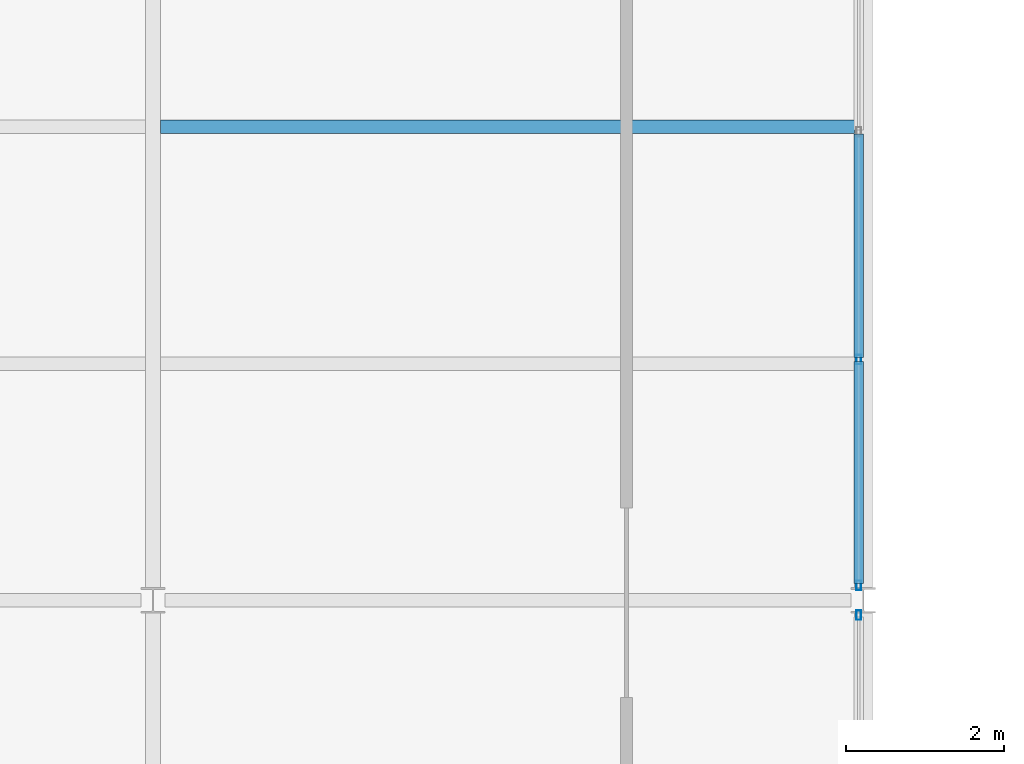
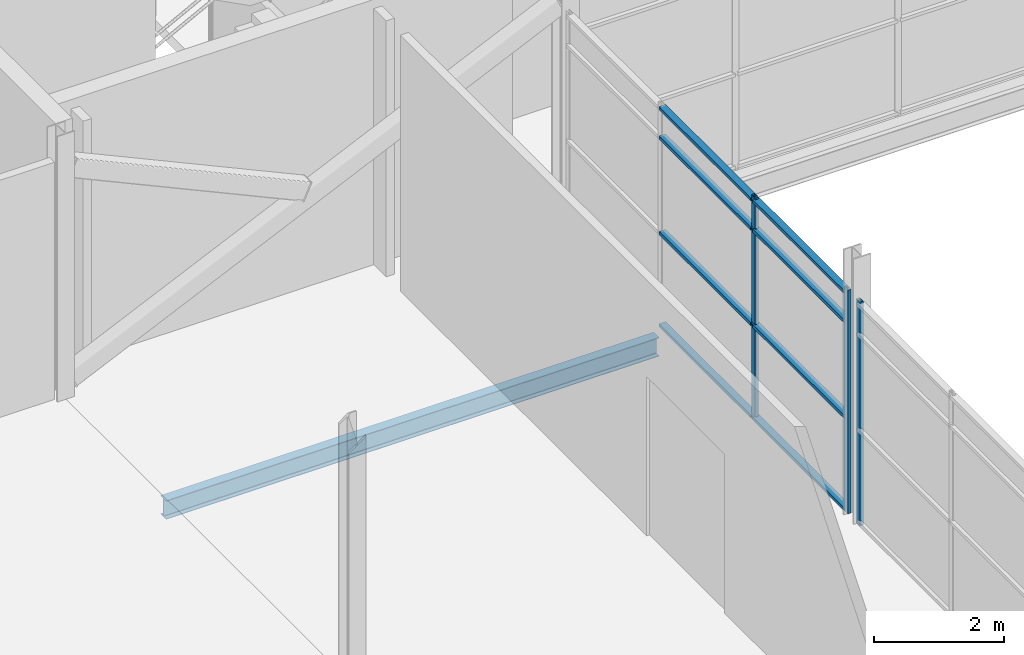
# One storey, part 38 of 112: 11 members, 1 beam, 2 elements without a shape of their own.
"""IFC4 building model written with IfcOpenShell, lengths in metres."""

from ifc_helpers import new_model, si_unit, direction, frame, origin, origin_2d, place, context, subcontext, project, spatial, hollow_rectangle, i_section, extrude, material, layer, layer_set, material_profile, profile_set, type_object, element, aggregate, save


model = new_model("IFC4")

# Units and contexts
model_context = context("Model", 3, precision=1e-05, world=origin(), true_north=direction((0.0, 1.0)))
body_context = subcontext(model_context, "Body", "Model", "MODEL_VIEW")
ifc_project = project(units=[si_unit("LENGTHUNIT", "METRE"), si_unit("AREAUNIT", "SQUARE_METRE"), si_unit("VOLUMEUNIT", "CUBIC_METRE"), si_unit("PLANEANGLEUNIT", "RADIAN"), si_unit("MASSUNIT", "GRAM", prefix="KILO")], contexts=[model_context])

# Site, building, storey
site_placement = place(None, origin())
site = spatial("IfcSite", under=ifc_project, at=site_placement, CompositionType="ELEMENT")
building_placement = place(site_placement, origin())
building = spatial("IfcBuilding", under=site, at=building_placement, Name="Shorebreak Coast Museum", CompositionType="ELEMENT")
storey_placement = place(building_placement, frame((0.0, 0.0, 6.0)))
storey = spatial("IfcBuildingStorey", under=building, at=storey_placement, Name="L01", CompositionType="ELEMENT", Elevation=6.0)

# Beam
ifc_material_1 = material(Name="Steel Grade 300", Category="steel")
ifc_material_profile_1 = material_profile(ifc_material_1, i_section(OverallWidth=0.1708984375, OverallDepth=0.35205078125, WebThickness=0.0068359375, FlangeThickness=0.009765625, FilletRadius=0.011474609375, at=origin_2d()), Name="360UB44.7")
ifc_profile_set_1 = profile_set([ifc_material_profile_1], Name="Steel Grade 300")
beam_type = type_object("IfcBeamType", Name="Floor joist 360UB44.7", PredefinedType="JOIST", material=ifc_profile_set_1)
beam_placement = place(storey_placement, frame((54.095458984375, 78.0, -0.35107421875), z_axis=(1.0, 0.0, 0.0), x_axis=(0.0, 1.0, 0.0)))
element("IfcBeam", 1, at=beam_placement, inside=storey, type_object=beam_type, Name="Floor joist L01 bay 7J at 6000 mm", PredefinedType="JOIST", context=body_context, shape_type="SweptSolid", body=[
    extrude(i_section(OverallWidth=0.1708984375, OverallDepth=0.35205078125, WebThickness=0.0068359375, FlangeThickness=0.009765625, FilletRadius=0.011474609375, at=origin_2d()), origin(), (0.0, 0.0, 1.0), 8.79052734375),
])

# Curtain wall, member
ifc_material_2 = material(Name="Aluminium", Category="aluminium")
ifc_layer = layer(ifc_material_2, 0.1201171875)
ifc_layer_set = layer_set([ifc_layer], Name="Aluminium")
curtain_wall_type = type_object("IfcCurtainWallType", Name="Atrium fire screen", PredefinedType="NOTDEFINED", material=ifc_layer_set)
curtain_wall_1_placement = place(storey_placement, origin())
curtain_wall_1 = element("IfcCurtainWall", 2, at=curtain_wall_1_placement, inside=storey, type_object=curtain_wall_type, Name="Atrium screen L01 W 12", PredefinedType="NOTDEFINED")
ifc_material_3 = material(Name="Aluminium", Category="aluminium")
ifc_material_profile_2 = material_profile(ifc_material_3, hollow_rectangle(XDim=0.06005859375, YDim=0.1201171875, WallThickness=0.00341796875, at=origin_2d()), Name="AL 120x60 RHS")
ifc_profile_set_2 = profile_set([ifc_material_profile_2], Name="Aluminium")
member_type_1 = type_object("IfcMemberType", Name="Screen mullion 50 x 120", PredefinedType="MULLION", material=ifc_profile_set_2)
member_1_placement = place(storey_placement, frame((62.93994140625, 71.811279296875, 0.0), z_axis=(0.0, 0.0, 1.0), x_axis=(-1.0, 0.0, 0.0)))
member_1 = element("IfcMember", 3, at=member_1_placement, type_object=member_type_1, Name="CW4 mullion 4", PredefinedType="MULLION", context=body_context, shape_type="SweptSolid", body=[
    extrude(hollow_rectangle(XDim=0.06005859375, YDim=0.1201171875, WallThickness=0.00341796875, at=origin_2d()), origin(), (0.0, 0.0, 1.0), 4.218017578125),
])
aggregate(curtain_wall_1, [member_1])

# Curtain wall, members
curtain_wall_2_placement = place(storey_placement, origin())
curtain_wall_2 = element("IfcCurtainWall", 4, at=curtain_wall_2_placement, inside=storey, type_object=curtain_wall_type, Name="Atrium screen L01 W 13", PredefinedType="NOTDEFINED")
member_2_placement = place(storey_placement, frame((62.93994140625, 72.188720703125, 0.0), z_axis=(0.0, 0.0, 1.0), x_axis=(-1.0, 0.0, 0.0)))
member_2 = element("IfcMember", 5, at=member_2_placement, type_object=member_type_1, Name="CW5 mullion 1", PredefinedType="MULLION", context=body_context, shape_type="SweptSolid", body=[
    extrude(hollow_rectangle(XDim=0.06005859375, YDim=0.1201171875, WallThickness=0.00341796875, at=origin_2d()), origin(), (0.0, 0.0, 1.0), 4.212890625),
])
member_3_placement = place(storey_placement, frame((62.93994140625, 75.0498046875, 0.0), z_axis=(0.0, 0.0, 1.0), x_axis=(-1.0, 0.0, 0.0)))
member_3 = element("IfcMember", 6, at=member_3_placement, type_object=member_type_1, Name="CW5 mullion 2", PredefinedType="MULLION", context=body_context, shape_type="SweptSolid", body=[
    extrude(hollow_rectangle(XDim=0.06005859375, YDim=0.1201171875, WallThickness=0.00341796875, at=origin_2d()), origin(), (0.0, 0.0, 1.0), 4.212890625),
])
ifc_material_4 = material(Name="Aluminium", Category="aluminium")
ifc_material_profile_3 = material_profile(ifc_material_4, hollow_rectangle(XDim=0.1201171875, YDim=0.06005859375, WallThickness=0.00341796875, at=origin_2d()), Name="AL 60x120 RHS")
ifc_profile_set_3 = profile_set([ifc_material_profile_3], Name="Aluminium")
member_type_2 = type_object("IfcMemberType", Name="Screen transom 120 x 50", PredefinedType="USERDEFINED", material=ifc_profile_set_3)
member_4_placement = place(storey_placement, frame((62.93994140625, 72.213623046875, 0.06005859375), z_axis=(0.0, 1.0, 0.0), x_axis=(-1.0, 0.0, 0.0)))
member_4 = element("IfcMember", 7, at=member_4_placement, type_object=member_type_2, Name="CW5 transom 1.1", ObjectType="TRANSOM", PredefinedType="USERDEFINED", context=body_context, shape_type="SweptSolid", body=[
    extrude(hollow_rectangle(XDim=0.1201171875, YDim=0.06005859375, WallThickness=0.00341796875, at=origin_2d()), origin(), (0.0, 0.0, 1.0), 2.811279296875),
])
member_5_placement = place(storey_placement, frame((62.93994140625, 72.213623046875, 1.800048828125), z_axis=(0.0, 1.0, 0.0), x_axis=(-1.0, 0.0, 0.0)))
member_5 = element("IfcMember", 8, at=member_5_placement, type_object=member_type_2, Name="CW5 transom 1.2", ObjectType="TRANSOM", PredefinedType="USERDEFINED", context=body_context, shape_type="SweptSolid", body=[
    extrude(hollow_rectangle(XDim=0.1201171875, YDim=0.06005859375, WallThickness=0.00341796875, at=origin_2d()), origin(), (0.0, 0.0, 1.0), 2.811279296875),
])
member_6_placement = place(storey_placement, frame((62.93994140625, 72.213623046875, 3.60009765625), z_axis=(0.0, 1.0, 0.0), x_axis=(-1.0, 0.0, 0.0)))
member_6 = element("IfcMember", 9, at=member_6_placement, type_object=member_type_2, Name="CW5 transom 1.3", ObjectType="TRANSOM", PredefinedType="USERDEFINED", context=body_context, shape_type="SweptSolid", body=[
    extrude(hollow_rectangle(XDim=0.1201171875, YDim=0.06005859375, WallThickness=0.00341796875, at=origin_2d()), origin(), (0.0, 0.0, 1.0), 2.811279296875),
])
member_7_placement = place(storey_placement, frame((62.93994140625, 72.213623046875, 4.153076171875), z_axis=(0.0, 1.0, 0.0), x_axis=(-1.0, 0.0, 0.0)))
member_7 = element("IfcMember", 10, at=member_7_placement, type_object=member_type_2, Name="CW5 transom 1.4", ObjectType="TRANSOM", PredefinedType="USERDEFINED", context=body_context, shape_type="SweptSolid", body=[
    extrude(hollow_rectangle(XDim=0.1201171875, YDim=0.06005859375, WallThickness=0.00341796875, at=origin_2d()), origin(), (0.0, 0.0, 1.0), 2.811279296875),
])
member_8_placement = place(storey_placement, frame((62.93994140625, 75.074951171875, 0.06005859375), z_axis=(0.0, 1.0, 0.0), x_axis=(-1.0, 0.0, 0.0)))
member_8 = element("IfcMember", 11, at=member_8_placement, type_object=member_type_2, Name="CW5 transom 2.1", ObjectType="TRANSOM", PredefinedType="USERDEFINED", context=body_context, shape_type="SweptSolid", body=[
    extrude(hollow_rectangle(XDim=0.1201171875, YDim=0.06005859375, WallThickness=0.00341796875, at=origin_2d()), origin(), (0.0, 0.0, 1.0), 2.836181640625),
])
member_9_placement = place(storey_placement, frame((62.93994140625, 75.074951171875, 1.800048828125), z_axis=(0.0, 1.0, 0.0), x_axis=(-1.0, 0.0, 0.0)))
member_9 = element("IfcMember", 12, at=member_9_placement, type_object=member_type_2, Name="CW5 transom 2.2", ObjectType="TRANSOM", PredefinedType="USERDEFINED", context=body_context, shape_type="SweptSolid", body=[
    extrude(hollow_rectangle(XDim=0.1201171875, YDim=0.06005859375, WallThickness=0.00341796875, at=origin_2d()), origin(), (0.0, 0.0, 1.0), 2.836181640625),
])
member_10_placement = place(storey_placement, frame((62.93994140625, 75.074951171875, 3.60009765625), z_axis=(0.0, 1.0, 0.0), x_axis=(-1.0, 0.0, 0.0)))
member_10 = element("IfcMember", 13, at=member_10_placement, type_object=member_type_2, Name="CW5 transom 2.3", ObjectType="TRANSOM", PredefinedType="USERDEFINED", context=body_context, shape_type="SweptSolid", body=[
    extrude(hollow_rectangle(XDim=0.1201171875, YDim=0.06005859375, WallThickness=0.00341796875, at=origin_2d()), origin(), (0.0, 0.0, 1.0), 2.836181640625),
])
member_11_placement = place(storey_placement, frame((62.93994140625, 75.074951171875, 4.153076171875), z_axis=(0.0, 1.0, 0.0), x_axis=(-1.0, 0.0, 0.0)))
member_11 = element("IfcMember", 14, at=member_11_placement, type_object=member_type_2, Name="CW5 transom 2.4", ObjectType="TRANSOM", PredefinedType="USERDEFINED", context=body_context, shape_type="SweptSolid", body=[
    extrude(hollow_rectangle(XDim=0.1201171875, YDim=0.06005859375, WallThickness=0.00341796875, at=origin_2d()), origin(), (0.0, 0.0, 1.0), 2.836181640625),
])
aggregate(curtain_wall_2, [member_2, member_3, member_4, member_5, member_6, member_7, member_8, member_9, member_10, member_11])

save(model, "model.ifc")
